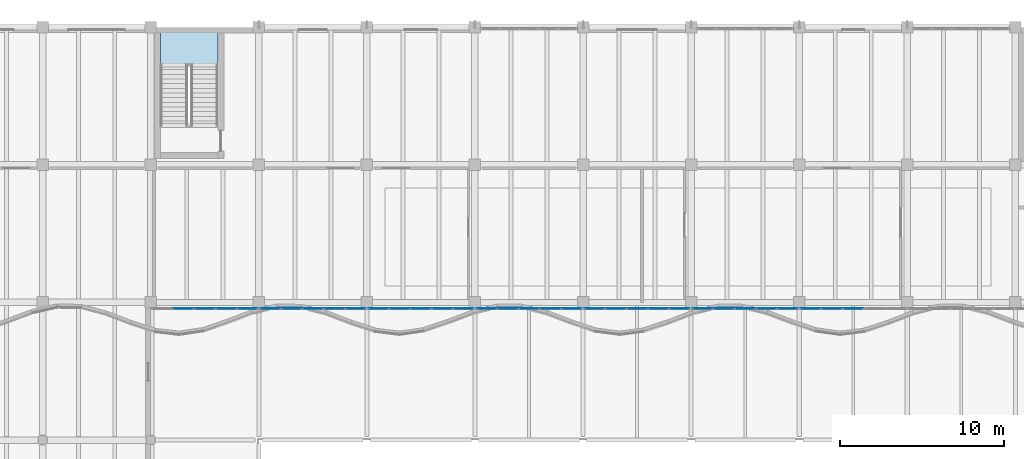
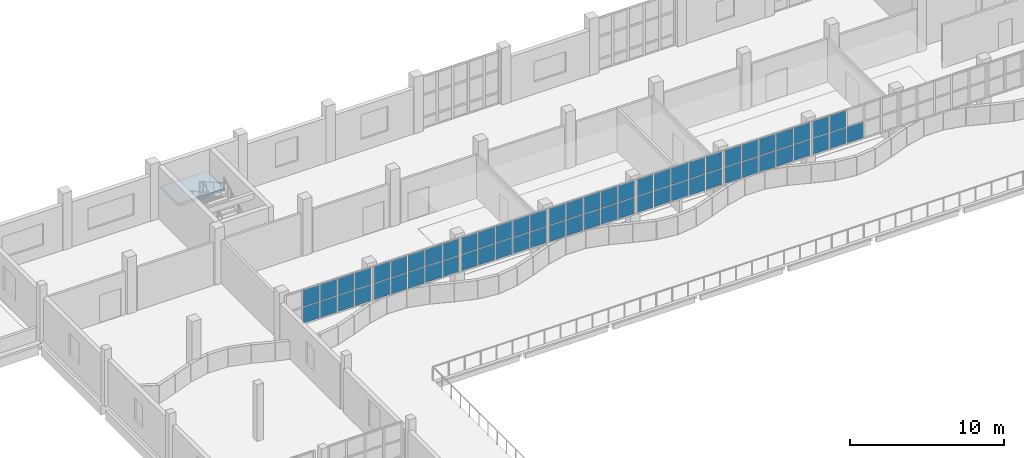
# One storey, part 38 of 83: 63 plates, 1 slab, 8 elements without a shape of their own.
"""IFC4 building model written with IfcOpenShell, lengths in metres."""

from ifc_helpers import new_model, si_unit, direction, frame, origin, origin_2d, place, context, subcontext, project, spatial, polyline, rectangle, outline, extrude, material, layer, layer_set, type_object, element, aggregate, save


model = new_model("IFC4")

# Units and contexts
model_context = context("Model", 3, precision=1e-05, world=origin(), true_north=direction((0.0, 1.0)))
body_context = subcontext(model_context, "Body", "Model", "MODEL_VIEW")
ifc_project = project(units=[si_unit("LENGTHUNIT", "METRE"), si_unit("AREAUNIT", "SQUARE_METRE"), si_unit("VOLUMEUNIT", "CUBIC_METRE"), si_unit("PLANEANGLEUNIT", "RADIAN"), si_unit("MASSUNIT", "GRAM", prefix="KILO")], contexts=[model_context])

# Site, building, storey
site_placement = place(None, origin())
site = spatial("IfcSite", under=ifc_project, at=site_placement, CompositionType="ELEMENT")
building_placement = place(site_placement, origin())
building = spatial("IfcBuilding", under=site, at=building_placement, Name="Qaldarim Faculty of Natural and Applied Sciences", CompositionType="ELEMENT")
storey_placement = place(building_placement, frame((0.0, 0.0, 5.39990234375)))
storey = spatial("IfcBuildingStorey", under=building, at=storey_placement, Name="L01", CompositionType="ELEMENT", Elevation=5.39990234375)

# Stair, slab
ifc_material_1 = material(Name="Concrete C40/50", Category="concrete")
stair_type = type_object("IfcStairType", Name="DoglegStair-W1650-H4500-28R", PredefinedType="HALF_TURN_STAIR", material=ifc_material_1)
stair_placement = place(storey_placement, origin())
stair = element("IfcStair", 1, at=stair_placement, inside=storey, type_object=stair_type, Name="Enclosed exit stair ST-B2 L01", PredefinedType="HALF_TURN_STAIR")
ifc_layer_1 = layer(ifc_material_1, 0.2099609375)
ifc_layer_set_1 = layer_set([ifc_layer_1], Name="Concrete C40/50")
slab_type = type_object("IfcSlabType", Name="StairLandingSlab-210", PredefinedType="LANDING", material=ifc_layer_set_1)
slab_placement = place(storey_placement, frame((0.0, 0.0, 2.0400390625)))
slab = element("IfcSlab", 2, at=slab_placement, type_object=slab_type, Name="ST-B2 L01 half-landing 1", PredefinedType="LANDING", context=body_context, shape_type="SweptSolid", body=[
    extrude(outline(polyline([(50.300048828125, 115.2900390625), (50.300048828125, 117.60009765625), (46.800048828125, 117.60009765625), (46.800048828125, 115.2900390625), (50.300048828125, 115.2900390625)])), origin(), (0.0, 0.0, 1.0), 0.2099609375),
])
aggregate(stair, [slab])

# Curtain wall, plates
ifc_material_2 = material(Name="Anodised aluminium AW-6063", Category="aluminium")
curtain_wall_type = type_object("IfcCurtainWallType", Name="CurtainWallSystem-M1400", PredefinedType="USERDEFINED", material=ifc_material_2)
curtain_wall_1_placement = place(storey_placement, origin())
curtain_wall_1 = element("IfcCurtainWall", 3, at=curtain_wall_1_placement, inside=storey, type_object=curtain_wall_type, Name="Curtain wall CW-V4RIB-L01-X08", ObjectType="STICK CURTAIN WALL", PredefinedType="USERDEFINED")
ifc_material_3 = material(Name="Insulated low-e double glazing", Category="glass")
ifc_layer_2 = layer(ifc_material_3, 0.028076171875)
ifc_layer_set_2 = layer_set([ifc_layer_2], Name="Insulated low-e double glazing")
plate_type = type_object("IfcPlateType", Name="VisionGlazingPanel-28", PredefinedType="CURTAIN_PANEL", material=ifc_layer_set_2)
plate_1_placement = place(storey_placement, frame((48.196044921875, 100.419921875, 1.51025390625), z_axis=(0.0, 0.0, 1.0), x_axis=(1.0, 0.0, 0.0)))
plate_1 = element("IfcPlate", 4, at=plate_1_placement, type_object=plate_type, Name="Glazed panel 2-1 of CW-V4RIB-L01-X08", PredefinedType="CURTAIN_PANEL", context=body_context, shape_type="SweptSolid", body=[
    extrude(rectangle(XDim=1.243896484375, YDim=0.028076171875, at=origin_2d()), origin(), (0.0, 0.0, 1.0), 1.260009765625),
])
plate_2_placement = place(storey_placement, frame((48.196044921875, 100.419921875, 2.830078125), z_axis=(0.0, 0.0, 1.0), x_axis=(1.0, 0.0, 0.0)))
plate_2 = element("IfcPlate", 5, at=plate_2_placement, type_object=plate_type, Name="Glazed panel 2-2 of CW-V4RIB-L01-X08", PredefinedType="CURTAIN_PANEL", context=body_context, shape_type="SweptSolid", body=[
    extrude(rectangle(XDim=1.243896484375, YDim=0.028076171875, at=origin_2d()), origin(), (0.0, 0.0, 1.0), 1.31005859375),
])
plate_3_placement = place(storey_placement, frame((49.5, 100.419921875, 1.51025390625), z_axis=(0.0, 0.0, 1.0), x_axis=(1.0, 0.0, 0.0)))
plate_3 = element("IfcPlate", 6, at=plate_3_placement, type_object=plate_type, Name="Glazed panel 3-1 of CW-V4RIB-L01-X08", PredefinedType="CURTAIN_PANEL", context=body_context, shape_type="SweptSolid", body=[
    extrude(rectangle(XDim=1.243896484375, YDim=0.028076171875, at=origin_2d()), origin(), (0.0, 0.0, 1.0), 1.260009765625),
])
plate_4_placement = place(storey_placement, frame((49.5, 100.419921875, 2.830078125), z_axis=(0.0, 0.0, 1.0), x_axis=(1.0, 0.0, 0.0)))
plate_4 = element("IfcPlate", 7, at=plate_4_placement, type_object=plate_type, Name="Glazed panel 3-2 of CW-V4RIB-L01-X08", PredefinedType="CURTAIN_PANEL", context=body_context, shape_type="SweptSolid", body=[
    extrude(rectangle(XDim=1.243896484375, YDim=0.028076171875, at=origin_2d()), origin(), (0.0, 0.0, 1.0), 1.31005859375),
])
plate_5_placement = place(storey_placement, frame((50.803955078125, 100.419921875, 1.51025390625), z_axis=(0.0, 0.0, 1.0), x_axis=(1.0, 0.0, 0.0)))
plate_5 = element("IfcPlate", 8, at=plate_5_placement, type_object=plate_type, Name="Glazed panel 4-1 of CW-V4RIB-L01-X08", PredefinedType="CURTAIN_PANEL", context=body_context, shape_type="SweptSolid", body=[
    extrude(rectangle(XDim=1.243896484375, YDim=0.028076171875, at=origin_2d()), origin(), (0.0, 0.0, 1.0), 1.260009765625),
])
plate_6_placement = place(storey_placement, frame((50.803955078125, 100.419921875, 2.830078125), z_axis=(0.0, 0.0, 1.0), x_axis=(1.0, 0.0, 0.0)))
plate_6 = element("IfcPlate", 9, at=plate_6_placement, type_object=plate_type, Name="Glazed panel 4-2 of CW-V4RIB-L01-X08", PredefinedType="CURTAIN_PANEL", context=body_context, shape_type="SweptSolid", body=[
    extrude(rectangle(XDim=1.243896484375, YDim=0.028076171875, at=origin_2d()), origin(), (0.0, 0.0, 1.0), 1.31005859375),
])
plate_7_placement = place(storey_placement, frame((52.093017578125, 100.419921875, 1.51025390625), z_axis=(0.0, 0.0, 1.0), x_axis=(1.0, 0.0, 0.0)))
plate_7 = element("IfcPlate", 10, at=plate_7_placement, type_object=plate_type, Name="Glazed panel 5-1 of CW-V4RIB-L01-X08", PredefinedType="CURTAIN_PANEL", context=body_context, shape_type="SweptSolid", body=[
    extrude(rectangle(XDim=1.214111328125, YDim=0.028076171875, at=origin_2d()), origin(), (0.0, 0.0, 1.0), 1.260009765625),
])
plate_8_placement = place(storey_placement, frame((52.093017578125, 100.419921875, 2.830078125), z_axis=(0.0, 0.0, 1.0), x_axis=(1.0, 0.0, 0.0)))
plate_8 = element("IfcPlate", 11, at=plate_8_placement, type_object=plate_type, Name="Glazed panel 5-2 of CW-V4RIB-L01-X08", PredefinedType="CURTAIN_PANEL", context=body_context, shape_type="SweptSolid", body=[
    extrude(rectangle(XDim=1.214111328125, YDim=0.028076171875, at=origin_2d()), origin(), (0.0, 0.0, 1.0), 1.31005859375),
])
aggregate(curtain_wall_1, [plate_1, plate_2, plate_3, plate_4, plate_5, plate_6, plate_7, plate_8])

curtain_wall_2_placement = place(storey_placement, origin())
curtain_wall_2 = element("IfcCurtainWall", 12, at=curtain_wall_2_placement, inside=storey, type_object=curtain_wall_type, Name="Curtain wall CW-V4RIB-L01-X09", ObjectType="STICK CURTAIN WALL", PredefinedType="USERDEFINED")
plate_9_placement = place(storey_placement, frame((53.507080078125, 100.419921875, 1.51025390625), z_axis=(0.0, 0.0, 1.0), x_axis=(1.0, 0.0, 0.0)))
plate_9 = element("IfcPlate", 13, at=plate_9_placement, type_object=plate_type, Name="Glazed panel 1-1 of CW-V4RIB-L01-X09", PredefinedType="CURTAIN_PANEL", context=body_context, shape_type="SweptSolid", body=[
    extrude(rectangle(XDim=1.214111328125, YDim=0.028076171875, at=origin_2d()), origin(), (0.0, 0.0, 1.0), 1.260009765625),
])
plate_10_placement = place(storey_placement, frame((53.507080078125, 100.419921875, 2.830078125), z_axis=(0.0, 0.0, 1.0), x_axis=(1.0, 0.0, 0.0)))
plate_10 = element("IfcPlate", 14, at=plate_10_placement, type_object=plate_type, Name="Glazed panel 1-2 of CW-V4RIB-L01-X09", PredefinedType="CURTAIN_PANEL", context=body_context, shape_type="SweptSolid", body=[
    extrude(rectangle(XDim=1.214111328125, YDim=0.028076171875, at=origin_2d()), origin(), (0.0, 0.0, 1.0), 1.31005859375),
])
plate_11_placement = place(storey_placement, frame((54.7958984375, 100.419921875, 1.51025390625), z_axis=(0.0, 0.0, 1.0), x_axis=(1.0, 0.0, 0.0)))
plate_11 = element("IfcPlate", 15, at=plate_11_placement, type_object=plate_type, Name="Glazed panel 2-1 of CW-V4RIB-L01-X09", PredefinedType="CURTAIN_PANEL", context=body_context, shape_type="SweptSolid", body=[
    extrude(rectangle(XDim=1.243896484375, YDim=0.028076171875, at=origin_2d()), origin(), (0.0, 0.0, 1.0), 1.260009765625),
])
plate_12_placement = place(storey_placement, frame((54.7958984375, 100.419921875, 2.830078125), z_axis=(0.0, 0.0, 1.0), x_axis=(1.0, 0.0, 0.0)))
plate_12 = element("IfcPlate", 16, at=plate_12_placement, type_object=plate_type, Name="Glazed panel 2-2 of CW-V4RIB-L01-X09", PredefinedType="CURTAIN_PANEL", context=body_context, shape_type="SweptSolid", body=[
    extrude(rectangle(XDim=1.243896484375, YDim=0.028076171875, at=origin_2d()), origin(), (0.0, 0.0, 1.0), 1.31005859375),
])
plate_13_placement = place(storey_placement, frame((56.10009765625, 100.419921875, 1.51025390625), z_axis=(0.0, 0.0, 1.0), x_axis=(1.0, 0.0, 0.0)))
plate_13 = element("IfcPlate", 17, at=plate_13_placement, type_object=plate_type, Name="Glazed panel 3-1 of CW-V4RIB-L01-X09", PredefinedType="CURTAIN_PANEL", context=body_context, shape_type="SweptSolid", body=[
    extrude(rectangle(XDim=1.243896484375, YDim=0.028076171875, at=origin_2d()), origin(), (0.0, 0.0, 1.0), 1.260009765625),
])
plate_14_placement = place(storey_placement, frame((56.10009765625, 100.419921875, 2.830078125), z_axis=(0.0, 0.0, 1.0), x_axis=(1.0, 0.0, 0.0)))
plate_14 = element("IfcPlate", 18, at=plate_14_placement, type_object=plate_type, Name="Glazed panel 3-2 of CW-V4RIB-L01-X09", PredefinedType="CURTAIN_PANEL", context=body_context, shape_type="SweptSolid", body=[
    extrude(rectangle(XDim=1.243896484375, YDim=0.028076171875, at=origin_2d()), origin(), (0.0, 0.0, 1.0), 1.31005859375),
])
plate_15_placement = place(storey_placement, frame((57.404052734375, 100.419921875, 1.51025390625), z_axis=(0.0, 0.0, 1.0), x_axis=(1.0, 0.0, 0.0)))
plate_15 = element("IfcPlate", 19, at=plate_15_placement, type_object=plate_type, Name="Glazed panel 4-1 of CW-V4RIB-L01-X09", PredefinedType="CURTAIN_PANEL", context=body_context, shape_type="SweptSolid", body=[
    extrude(rectangle(XDim=1.243896484375, YDim=0.028076171875, at=origin_2d()), origin(), (0.0, 0.0, 1.0), 1.260009765625),
])
plate_16_placement = place(storey_placement, frame((57.404052734375, 100.419921875, 2.830078125), z_axis=(0.0, 0.0, 1.0), x_axis=(1.0, 0.0, 0.0)))
plate_16 = element("IfcPlate", 20, at=plate_16_placement, type_object=plate_type, Name="Glazed panel 4-2 of CW-V4RIB-L01-X09", PredefinedType="CURTAIN_PANEL", context=body_context, shape_type="SweptSolid", body=[
    extrude(rectangle(XDim=1.243896484375, YDim=0.028076171875, at=origin_2d()), origin(), (0.0, 0.0, 1.0), 1.31005859375),
])
plate_17_placement = place(storey_placement, frame((58.693115234375, 100.419921875, 1.51025390625), z_axis=(0.0, 0.0, 1.0), x_axis=(1.0, 0.0, 0.0)))
plate_17 = element("IfcPlate", 21, at=plate_17_placement, type_object=plate_type, Name="Glazed panel 5-1 of CW-V4RIB-L01-X09", PredefinedType="CURTAIN_PANEL", context=body_context, shape_type="SweptSolid", body=[
    extrude(rectangle(XDim=1.214111328125, YDim=0.028076171875, at=origin_2d()), origin(), (0.0, 0.0, 1.0), 1.260009765625),
])
plate_18_placement = place(storey_placement, frame((58.693115234375, 100.419921875, 2.830078125), z_axis=(0.0, 0.0, 1.0), x_axis=(1.0, 0.0, 0.0)))
plate_18 = element("IfcPlate", 22, at=plate_18_placement, type_object=plate_type, Name="Glazed panel 5-2 of CW-V4RIB-L01-X09", PredefinedType="CURTAIN_PANEL", context=body_context, shape_type="SweptSolid", body=[
    extrude(rectangle(XDim=1.214111328125, YDim=0.028076171875, at=origin_2d()), origin(), (0.0, 0.0, 1.0), 1.31005859375),
])
aggregate(curtain_wall_2, [plate_9, plate_10, plate_11, plate_12, plate_13, plate_14, plate_15, plate_16, plate_17, plate_18])

curtain_wall_3_placement = place(storey_placement, origin())
curtain_wall_3 = element("IfcCurtainWall", 23, at=curtain_wall_3_placement, inside=storey, type_object=curtain_wall_type, Name="Curtain wall CW-V4RIB-L01-X10", ObjectType="STICK CURTAIN WALL", PredefinedType="USERDEFINED")
plate_19_placement = place(storey_placement, frame((60.10693359375, 100.419921875, 1.51025390625), z_axis=(0.0, 0.0, 1.0), x_axis=(1.0, 0.0, 0.0)))
plate_19 = element("IfcPlate", 24, at=plate_19_placement, type_object=plate_type, Name="Glazed panel 1-1 of CW-V4RIB-L01-X10", PredefinedType="CURTAIN_PANEL", context=body_context, shape_type="SweptSolid", body=[
    extrude(rectangle(XDim=1.214111328125, YDim=0.028076171875, at=origin_2d()), origin(), (0.0, 0.0, 1.0), 1.260009765625),
])
plate_20_placement = place(storey_placement, frame((60.10693359375, 100.419921875, 2.830078125), z_axis=(0.0, 0.0, 1.0), x_axis=(1.0, 0.0, 0.0)))
plate_20 = element("IfcPlate", 25, at=plate_20_placement, type_object=plate_type, Name="Glazed panel 1-2 of CW-V4RIB-L01-X10", PredefinedType="CURTAIN_PANEL", context=body_context, shape_type="SweptSolid", body=[
    extrude(rectangle(XDim=1.214111328125, YDim=0.028076171875, at=origin_2d()), origin(), (0.0, 0.0, 1.0), 1.31005859375),
])
plate_21_placement = place(storey_placement, frame((61.39599609375, 100.419921875, 1.51025390625), z_axis=(0.0, 0.0, 1.0), x_axis=(1.0, 0.0, 0.0)))
plate_21 = element("IfcPlate", 26, at=plate_21_placement, type_object=plate_type, Name="Glazed panel 2-1 of CW-V4RIB-L01-X10", PredefinedType="CURTAIN_PANEL", context=body_context, shape_type="SweptSolid", body=[
    extrude(rectangle(XDim=1.243896484375, YDim=0.028076171875, at=origin_2d()), origin(), (0.0, 0.0, 1.0), 1.260009765625),
])
plate_22_placement = place(storey_placement, frame((61.39599609375, 100.419921875, 2.830078125), z_axis=(0.0, 0.0, 1.0), x_axis=(1.0, 0.0, 0.0)))
plate_22 = element("IfcPlate", 27, at=plate_22_placement, type_object=plate_type, Name="Glazed panel 2-2 of CW-V4RIB-L01-X10", PredefinedType="CURTAIN_PANEL", context=body_context, shape_type="SweptSolid", body=[
    extrude(rectangle(XDim=1.243896484375, YDim=0.028076171875, at=origin_2d()), origin(), (0.0, 0.0, 1.0), 1.31005859375),
])
plate_23_placement = place(storey_placement, frame((62.699951171875, 100.419921875, 1.51025390625), z_axis=(0.0, 0.0, 1.0), x_axis=(1.0, 0.0, 0.0)))
plate_23 = element("IfcPlate", 28, at=plate_23_placement, type_object=plate_type, Name="Glazed panel 3-1 of CW-V4RIB-L01-X10", PredefinedType="CURTAIN_PANEL", context=body_context, shape_type="SweptSolid", body=[
    extrude(rectangle(XDim=1.243896484375, YDim=0.028076171875, at=origin_2d()), origin(), (0.0, 0.0, 1.0), 1.260009765625),
])
plate_24_placement = place(storey_placement, frame((62.699951171875, 100.419921875, 2.830078125), z_axis=(0.0, 0.0, 1.0), x_axis=(1.0, 0.0, 0.0)))
plate_24 = element("IfcPlate", 29, at=plate_24_placement, type_object=plate_type, Name="Glazed panel 3-2 of CW-V4RIB-L01-X10", PredefinedType="CURTAIN_PANEL", context=body_context, shape_type="SweptSolid", body=[
    extrude(rectangle(XDim=1.243896484375, YDim=0.028076171875, at=origin_2d()), origin(), (0.0, 0.0, 1.0), 1.31005859375),
])
plate_25_placement = place(storey_placement, frame((64.00390625, 100.419921875, 1.51025390625), z_axis=(0.0, 0.0, 1.0), x_axis=(1.0, 0.0, 0.0)))
plate_25 = element("IfcPlate", 30, at=plate_25_placement, type_object=plate_type, Name="Glazed panel 4-1 of CW-V4RIB-L01-X10", PredefinedType="CURTAIN_PANEL", context=body_context, shape_type="SweptSolid", body=[
    extrude(rectangle(XDim=1.243896484375, YDim=0.028076171875, at=origin_2d()), origin(), (0.0, 0.0, 1.0), 1.260009765625),
])
plate_26_placement = place(storey_placement, frame((64.00390625, 100.419921875, 2.830078125), z_axis=(0.0, 0.0, 1.0), x_axis=(1.0, 0.0, 0.0)))
plate_26 = element("IfcPlate", 31, at=plate_26_placement, type_object=plate_type, Name="Glazed panel 4-2 of CW-V4RIB-L01-X10", PredefinedType="CURTAIN_PANEL", context=body_context, shape_type="SweptSolid", body=[
    extrude(rectangle(XDim=1.243896484375, YDim=0.028076171875, at=origin_2d()), origin(), (0.0, 0.0, 1.0), 1.31005859375),
])
plate_27_placement = place(storey_placement, frame((65.29296875, 100.419921875, 1.51025390625), z_axis=(0.0, 0.0, 1.0), x_axis=(1.0, 0.0, 0.0)))
plate_27 = element("IfcPlate", 32, at=plate_27_placement, type_object=plate_type, Name="Glazed panel 5-1 of CW-V4RIB-L01-X10", PredefinedType="CURTAIN_PANEL", context=body_context, shape_type="SweptSolid", body=[
    extrude(rectangle(XDim=1.214111328125, YDim=0.028076171875, at=origin_2d()), origin(), (0.0, 0.0, 1.0), 1.260009765625),
])
plate_28_placement = place(storey_placement, frame((65.29296875, 100.419921875, 2.830078125), z_axis=(0.0, 0.0, 1.0), x_axis=(1.0, 0.0, 0.0)))
plate_28 = element("IfcPlate", 33, at=plate_28_placement, type_object=plate_type, Name="Glazed panel 5-2 of CW-V4RIB-L01-X10", PredefinedType="CURTAIN_PANEL", context=body_context, shape_type="SweptSolid", body=[
    extrude(rectangle(XDim=1.214111328125, YDim=0.028076171875, at=origin_2d()), origin(), (0.0, 0.0, 1.0), 1.31005859375),
])
aggregate(curtain_wall_3, [plate_19, plate_20, plate_21, plate_22, plate_23, plate_24, plate_25, plate_26, plate_27, plate_28])

curtain_wall_4_placement = place(storey_placement, origin())
curtain_wall_4 = element("IfcCurtainWall", 34, at=curtain_wall_4_placement, inside=storey, type_object=curtain_wall_type, Name="Curtain wall CW-V4RIB-L01-X11", ObjectType="STICK CURTAIN WALL", PredefinedType="USERDEFINED")
plate_29_placement = place(storey_placement, frame((66.70703125, 100.419921875, 1.51025390625), z_axis=(0.0, 0.0, 1.0), x_axis=(1.0, 0.0, 0.0)))
plate_29 = element("IfcPlate", 35, at=plate_29_placement, type_object=plate_type, Name="Glazed panel 1-1 of CW-V4RIB-L01-X11", PredefinedType="CURTAIN_PANEL", context=body_context, shape_type="SweptSolid", body=[
    extrude(rectangle(XDim=1.214111328125, YDim=0.028076171875, at=origin_2d()), origin(), (0.0, 0.0, 1.0), 1.260009765625),
])
plate_30_placement = place(storey_placement, frame((66.70703125, 100.419921875, 2.830078125), z_axis=(0.0, 0.0, 1.0), x_axis=(1.0, 0.0, 0.0)))
plate_30 = element("IfcPlate", 36, at=plate_30_placement, type_object=plate_type, Name="Glazed panel 1-2 of CW-V4RIB-L01-X11", PredefinedType="CURTAIN_PANEL", context=body_context, shape_type="SweptSolid", body=[
    extrude(rectangle(XDim=1.214111328125, YDim=0.028076171875, at=origin_2d()), origin(), (0.0, 0.0, 1.0), 1.31005859375),
])
plate_31_placement = place(storey_placement, frame((67.99609375, 100.419921875, 1.51025390625), z_axis=(0.0, 0.0, 1.0), x_axis=(1.0, 0.0, 0.0)))
plate_31 = element("IfcPlate", 37, at=plate_31_placement, type_object=plate_type, Name="Glazed panel 2-1 of CW-V4RIB-L01-X11", PredefinedType="CURTAIN_PANEL", context=body_context, shape_type="SweptSolid", body=[
    extrude(rectangle(XDim=1.243896484375, YDim=0.028076171875, at=origin_2d()), origin(), (0.0, 0.0, 1.0), 1.260009765625),
])
plate_32_placement = place(storey_placement, frame((67.99609375, 100.419921875, 2.830078125), z_axis=(0.0, 0.0, 1.0), x_axis=(1.0, 0.0, 0.0)))
plate_32 = element("IfcPlate", 38, at=plate_32_placement, type_object=plate_type, Name="Glazed panel 2-2 of CW-V4RIB-L01-X11", PredefinedType="CURTAIN_PANEL", context=body_context, shape_type="SweptSolid", body=[
    extrude(rectangle(XDim=1.243896484375, YDim=0.028076171875, at=origin_2d()), origin(), (0.0, 0.0, 1.0), 1.31005859375),
])
plate_33_placement = place(storey_placement, frame((69.300048828125, 100.419921875, 1.51025390625), z_axis=(0.0, 0.0, 1.0), x_axis=(1.0, 0.0, 0.0)))
plate_33 = element("IfcPlate", 39, at=plate_33_placement, type_object=plate_type, Name="Glazed panel 3-1 of CW-V4RIB-L01-X11", PredefinedType="CURTAIN_PANEL", context=body_context, shape_type="SweptSolid", body=[
    extrude(rectangle(XDim=1.243896484375, YDim=0.028076171875, at=origin_2d()), origin(), (0.0, 0.0, 1.0), 1.260009765625),
])
plate_34_placement = place(storey_placement, frame((69.300048828125, 100.419921875, 2.830078125), z_axis=(0.0, 0.0, 1.0), x_axis=(1.0, 0.0, 0.0)))
plate_34 = element("IfcPlate", 40, at=plate_34_placement, type_object=plate_type, Name="Glazed panel 3-2 of CW-V4RIB-L01-X11", PredefinedType="CURTAIN_PANEL", context=body_context, shape_type="SweptSolid", body=[
    extrude(rectangle(XDim=1.243896484375, YDim=0.028076171875, at=origin_2d()), origin(), (0.0, 0.0, 1.0), 1.31005859375),
])
plate_35_placement = place(storey_placement, frame((70.60400390625, 100.419921875, 1.51025390625), z_axis=(0.0, 0.0, 1.0), x_axis=(1.0, 0.0, 0.0)))
plate_35 = element("IfcPlate", 41, at=plate_35_placement, type_object=plate_type, Name="Glazed panel 4-1 of CW-V4RIB-L01-X11", PredefinedType="CURTAIN_PANEL", context=body_context, shape_type="SweptSolid", body=[
    extrude(rectangle(XDim=1.243896484375, YDim=0.028076171875, at=origin_2d()), origin(), (0.0, 0.0, 1.0), 1.260009765625),
])
plate_36_placement = place(storey_placement, frame((70.60400390625, 100.419921875, 2.830078125), z_axis=(0.0, 0.0, 1.0), x_axis=(1.0, 0.0, 0.0)))
plate_36 = element("IfcPlate", 42, at=plate_36_placement, type_object=plate_type, Name="Glazed panel 4-2 of CW-V4RIB-L01-X11", PredefinedType="CURTAIN_PANEL", context=body_context, shape_type="SweptSolid", body=[
    extrude(rectangle(XDim=1.243896484375, YDim=0.028076171875, at=origin_2d()), origin(), (0.0, 0.0, 1.0), 1.31005859375),
])
plate_37_placement = place(storey_placement, frame((71.89306640625, 100.419921875, 1.51025390625), z_axis=(0.0, 0.0, 1.0), x_axis=(1.0, 0.0, 0.0)))
plate_37 = element("IfcPlate", 43, at=plate_37_placement, type_object=plate_type, Name="Glazed panel 5-1 of CW-V4RIB-L01-X11", PredefinedType="CURTAIN_PANEL", context=body_context, shape_type="SweptSolid", body=[
    extrude(rectangle(XDim=1.214111328125, YDim=0.028076171875, at=origin_2d()), origin(), (0.0, 0.0, 1.0), 1.260009765625),
])
plate_38_placement = place(storey_placement, frame((71.89306640625, 100.419921875, 2.830078125), z_axis=(0.0, 0.0, 1.0), x_axis=(1.0, 0.0, 0.0)))
plate_38 = element("IfcPlate", 44, at=plate_38_placement, type_object=plate_type, Name="Glazed panel 5-2 of CW-V4RIB-L01-X11", PredefinedType="CURTAIN_PANEL", context=body_context, shape_type="SweptSolid", body=[
    extrude(rectangle(XDim=1.214111328125, YDim=0.028076171875, at=origin_2d()), origin(), (0.0, 0.0, 1.0), 1.31005859375),
])
aggregate(curtain_wall_4, [plate_29, plate_30, plate_31, plate_32, plate_33, plate_34, plate_35, plate_36, plate_37, plate_38])

curtain_wall_5_placement = place(storey_placement, origin())
curtain_wall_5 = element("IfcCurtainWall", 45, at=curtain_wall_5_placement, inside=storey, type_object=curtain_wall_type, Name="Curtain wall CW-V4RIB-L01-X12", ObjectType="STICK CURTAIN WALL", PredefinedType="USERDEFINED")
plate_39_placement = place(storey_placement, frame((73.306884765625, 100.419921875, 1.51025390625), z_axis=(0.0, 0.0, 1.0), x_axis=(1.0, 0.0, 0.0)))
plate_39 = element("IfcPlate", 46, at=plate_39_placement, type_object=plate_type, Name="Glazed panel 1-1 of CW-V4RIB-L01-X12", PredefinedType="CURTAIN_PANEL", context=body_context, shape_type="SweptSolid", body=[
    extrude(rectangle(XDim=1.214111328125, YDim=0.028076171875, at=origin_2d()), origin(), (0.0, 0.0, 1.0), 1.260009765625),
])
plate_40_placement = place(storey_placement, frame((73.306884765625, 100.419921875, 2.830078125), z_axis=(0.0, 0.0, 1.0), x_axis=(1.0, 0.0, 0.0)))
plate_40 = element("IfcPlate", 47, at=plate_40_placement, type_object=plate_type, Name="Glazed panel 1-2 of CW-V4RIB-L01-X12", PredefinedType="CURTAIN_PANEL", context=body_context, shape_type="SweptSolid", body=[
    extrude(rectangle(XDim=1.214111328125, YDim=0.028076171875, at=origin_2d()), origin(), (0.0, 0.0, 1.0), 1.31005859375),
])
plate_41_placement = place(storey_placement, frame((74.595947265625, 100.419921875, 1.51025390625), z_axis=(0.0, 0.0, 1.0), x_axis=(1.0, 0.0, 0.0)))
plate_41 = element("IfcPlate", 48, at=plate_41_placement, type_object=plate_type, Name="Glazed panel 2-1 of CW-V4RIB-L01-X12", PredefinedType="CURTAIN_PANEL", context=body_context, shape_type="SweptSolid", body=[
    extrude(rectangle(XDim=1.243896484375, YDim=0.028076171875, at=origin_2d()), origin(), (0.0, 0.0, 1.0), 1.260009765625),
])
plate_42_placement = place(storey_placement, frame((74.595947265625, 100.419921875, 2.830078125), z_axis=(0.0, 0.0, 1.0), x_axis=(1.0, 0.0, 0.0)))
plate_42 = element("IfcPlate", 49, at=plate_42_placement, type_object=plate_type, Name="Glazed panel 2-2 of CW-V4RIB-L01-X12", PredefinedType="CURTAIN_PANEL", context=body_context, shape_type="SweptSolid", body=[
    extrude(rectangle(XDim=1.243896484375, YDim=0.028076171875, at=origin_2d()), origin(), (0.0, 0.0, 1.0), 1.31005859375),
])
plate_43_placement = place(storey_placement, frame((75.89990234375, 100.419921875, 1.51025390625), z_axis=(0.0, 0.0, 1.0), x_axis=(1.0, 0.0, 0.0)))
plate_43 = element("IfcPlate", 50, at=plate_43_placement, type_object=plate_type, Name="Glazed panel 3-1 of CW-V4RIB-L01-X12", PredefinedType="CURTAIN_PANEL", context=body_context, shape_type="SweptSolid", body=[
    extrude(rectangle(XDim=1.243896484375, YDim=0.028076171875, at=origin_2d()), origin(), (0.0, 0.0, 1.0), 1.260009765625),
])
plate_44_placement = place(storey_placement, frame((75.89990234375, 100.419921875, 2.830078125), z_axis=(0.0, 0.0, 1.0), x_axis=(1.0, 0.0, 0.0)))
plate_44 = element("IfcPlate", 51, at=plate_44_placement, type_object=plate_type, Name="Glazed panel 3-2 of CW-V4RIB-L01-X12", PredefinedType="CURTAIN_PANEL", context=body_context, shape_type="SweptSolid", body=[
    extrude(rectangle(XDim=1.243896484375, YDim=0.028076171875, at=origin_2d()), origin(), (0.0, 0.0, 1.0), 1.31005859375),
])
plate_45_placement = place(storey_placement, frame((77.2041015625, 100.419921875, 1.51025390625), z_axis=(0.0, 0.0, 1.0), x_axis=(1.0, 0.0, 0.0)))
plate_45 = element("IfcPlate", 52, at=plate_45_placement, type_object=plate_type, Name="Glazed panel 4-1 of CW-V4RIB-L01-X12", PredefinedType="CURTAIN_PANEL", context=body_context, shape_type="SweptSolid", body=[
    extrude(rectangle(XDim=1.243896484375, YDim=0.028076171875, at=origin_2d()), origin(), (0.0, 0.0, 1.0), 1.260009765625),
])
plate_46_placement = place(storey_placement, frame((77.2041015625, 100.419921875, 2.830078125), z_axis=(0.0, 0.0, 1.0), x_axis=(1.0, 0.0, 0.0)))
plate_46 = element("IfcPlate", 53, at=plate_46_placement, type_object=plate_type, Name="Glazed panel 4-2 of CW-V4RIB-L01-X12", PredefinedType="CURTAIN_PANEL", context=body_context, shape_type="SweptSolid", body=[
    extrude(rectangle(XDim=1.243896484375, YDim=0.028076171875, at=origin_2d()), origin(), (0.0, 0.0, 1.0), 1.31005859375),
])
plate_47_placement = place(storey_placement, frame((78.492919921875, 100.419921875, 1.51025390625), z_axis=(0.0, 0.0, 1.0), x_axis=(1.0, 0.0, 0.0)))
plate_47 = element("IfcPlate", 54, at=plate_47_placement, type_object=plate_type, Name="Glazed panel 5-1 of CW-V4RIB-L01-X12", PredefinedType="CURTAIN_PANEL", context=body_context, shape_type="SweptSolid", body=[
    extrude(rectangle(XDim=1.214111328125, YDim=0.028076171875, at=origin_2d()), origin(), (0.0, 0.0, 1.0), 1.260009765625),
])
plate_48_placement = place(storey_placement, frame((78.492919921875, 100.419921875, 2.830078125), z_axis=(0.0, 0.0, 1.0), x_axis=(1.0, 0.0, 0.0)))
plate_48 = element("IfcPlate", 55, at=plate_48_placement, type_object=plate_type, Name="Glazed panel 5-2 of CW-V4RIB-L01-X12", PredefinedType="CURTAIN_PANEL", context=body_context, shape_type="SweptSolid", body=[
    extrude(rectangle(XDim=1.214111328125, YDim=0.028076171875, at=origin_2d()), origin(), (0.0, 0.0, 1.0), 1.31005859375),
])
aggregate(curtain_wall_5, [plate_39, plate_40, plate_41, plate_42, plate_43, plate_44, plate_45, plate_46, plate_47, plate_48])

curtain_wall_6_placement = place(storey_placement, origin())
curtain_wall_6 = element("IfcCurtainWall", 56, at=curtain_wall_6_placement, inside=storey, type_object=curtain_wall_type, Name="Curtain wall CW-V4RIB-L01-X13", ObjectType="STICK CURTAIN WALL", PredefinedType="USERDEFINED")
plate_49_placement = place(storey_placement, frame((79.906982421875, 100.419921875, 1.51025390625), z_axis=(0.0, 0.0, 1.0), x_axis=(1.0, 0.0, 0.0)))
plate_49 = element("IfcPlate", 57, at=plate_49_placement, type_object=plate_type, Name="Glazed panel 1-1 of CW-V4RIB-L01-X13", PredefinedType="CURTAIN_PANEL", context=body_context, shape_type="SweptSolid", body=[
    extrude(rectangle(XDim=1.214111328125, YDim=0.028076171875, at=origin_2d()), origin(), (0.0, 0.0, 1.0), 1.260009765625),
])
plate_50_placement = place(storey_placement, frame((79.906982421875, 100.419921875, 2.830078125), z_axis=(0.0, 0.0, 1.0), x_axis=(1.0, 0.0, 0.0)))
plate_50 = element("IfcPlate", 58, at=plate_50_placement, type_object=plate_type, Name="Glazed panel 1-2 of CW-V4RIB-L01-X13", PredefinedType="CURTAIN_PANEL", context=body_context, shape_type="SweptSolid", body=[
    extrude(rectangle(XDim=1.214111328125, YDim=0.028076171875, at=origin_2d()), origin(), (0.0, 0.0, 1.0), 1.31005859375),
])
plate_51_placement = place(storey_placement, frame((81.196044921875, 100.419921875, 1.51025390625), z_axis=(0.0, 0.0, 1.0), x_axis=(1.0, 0.0, 0.0)))
plate_51 = element("IfcPlate", 59, at=plate_51_placement, type_object=plate_type, Name="Glazed panel 2-1 of CW-V4RIB-L01-X13", PredefinedType="CURTAIN_PANEL", context=body_context, shape_type="SweptSolid", body=[
    extrude(rectangle(XDim=1.243896484375, YDim=0.028076171875, at=origin_2d()), origin(), (0.0, 0.0, 1.0), 1.260009765625),
])
plate_52_placement = place(storey_placement, frame((81.196044921875, 100.419921875, 2.830078125), z_axis=(0.0, 0.0, 1.0), x_axis=(1.0, 0.0, 0.0)))
plate_52 = element("IfcPlate", 60, at=plate_52_placement, type_object=plate_type, Name="Glazed panel 2-2 of CW-V4RIB-L01-X13", PredefinedType="CURTAIN_PANEL", context=body_context, shape_type="SweptSolid", body=[
    extrude(rectangle(XDim=1.243896484375, YDim=0.028076171875, at=origin_2d()), origin(), (0.0, 0.0, 1.0), 1.31005859375),
])
plate_53_placement = place(storey_placement, frame((82.5, 100.419921875, 1.51025390625), z_axis=(0.0, 0.0, 1.0), x_axis=(1.0, 0.0, 0.0)))
plate_53 = element("IfcPlate", 61, at=plate_53_placement, type_object=plate_type, Name="Glazed panel 3-1 of CW-V4RIB-L01-X13", PredefinedType="CURTAIN_PANEL", context=body_context, shape_type="SweptSolid", body=[
    extrude(rectangle(XDim=1.243896484375, YDim=0.028076171875, at=origin_2d()), origin(), (0.0, 0.0, 1.0), 1.260009765625),
])
plate_54_placement = place(storey_placement, frame((82.5, 100.419921875, 2.830078125), z_axis=(0.0, 0.0, 1.0), x_axis=(1.0, 0.0, 0.0)))
plate_54 = element("IfcPlate", 62, at=plate_54_placement, type_object=plate_type, Name="Glazed panel 3-2 of CW-V4RIB-L01-X13", PredefinedType="CURTAIN_PANEL", context=body_context, shape_type="SweptSolid", body=[
    extrude(rectangle(XDim=1.243896484375, YDim=0.028076171875, at=origin_2d()), origin(), (0.0, 0.0, 1.0), 1.31005859375),
])
plate_55_placement = place(storey_placement, frame((83.803955078125, 100.419921875, 1.51025390625), z_axis=(0.0, 0.0, 1.0), x_axis=(1.0, 0.0, 0.0)))
plate_55 = element("IfcPlate", 63, at=plate_55_placement, type_object=plate_type, Name="Glazed panel 4-1 of CW-V4RIB-L01-X13", PredefinedType="CURTAIN_PANEL", context=body_context, shape_type="SweptSolid", body=[
    extrude(rectangle(XDim=1.243896484375, YDim=0.028076171875, at=origin_2d()), origin(), (0.0, 0.0, 1.0), 1.260009765625),
])
plate_56_placement = place(storey_placement, frame((83.803955078125, 100.419921875, 2.830078125), z_axis=(0.0, 0.0, 1.0), x_axis=(1.0, 0.0, 0.0)))
plate_56 = element("IfcPlate", 64, at=plate_56_placement, type_object=plate_type, Name="Glazed panel 4-2 of CW-V4RIB-L01-X13", PredefinedType="CURTAIN_PANEL", context=body_context, shape_type="SweptSolid", body=[
    extrude(rectangle(XDim=1.243896484375, YDim=0.028076171875, at=origin_2d()), origin(), (0.0, 0.0, 1.0), 1.31005859375),
])
plate_57_placement = place(storey_placement, frame((85.093017578125, 100.419921875, 1.51025390625), z_axis=(0.0, 0.0, 1.0), x_axis=(1.0, 0.0, 0.0)))
plate_57 = element("IfcPlate", 65, at=plate_57_placement, type_object=plate_type, Name="Glazed panel 5-1 of CW-V4RIB-L01-X13", PredefinedType="CURTAIN_PANEL", context=body_context, shape_type="SweptSolid", body=[
    extrude(rectangle(XDim=1.214111328125, YDim=0.028076171875, at=origin_2d()), origin(), (0.0, 0.0, 1.0), 1.260009765625),
])
plate_58_placement = place(storey_placement, frame((85.093017578125, 100.419921875, 2.830078125), z_axis=(0.0, 0.0, 1.0), x_axis=(1.0, 0.0, 0.0)))
plate_58 = element("IfcPlate", 66, at=plate_58_placement, type_object=plate_type, Name="Glazed panel 5-2 of CW-V4RIB-L01-X13", PredefinedType="CURTAIN_PANEL", context=body_context, shape_type="SweptSolid", body=[
    extrude(rectangle(XDim=1.214111328125, YDim=0.028076171875, at=origin_2d()), origin(), (0.0, 0.0, 1.0), 1.31005859375),
])
aggregate(curtain_wall_6, [plate_49, plate_50, plate_51, plate_52, plate_53, plate_54, plate_55, plate_56, plate_57, plate_58])

curtain_wall_7_placement = place(storey_placement, origin())
curtain_wall_7 = element("IfcCurtainWall", 67, at=curtain_wall_7_placement, inside=storey, type_object=curtain_wall_type, Name="Curtain wall CW-V4RIB-L01-X14", ObjectType="STICK CURTAIN WALL", PredefinedType="USERDEFINED")
plate_59_placement = place(storey_placement, frame((86.507080078125, 100.419921875, 1.51025390625), z_axis=(0.0, 0.0, 1.0), x_axis=(1.0, 0.0, 0.0)))
plate_59 = element("IfcPlate", 68, at=plate_59_placement, type_object=plate_type, Name="Glazed panel 1-1 of CW-V4RIB-L01-X14", PredefinedType="CURTAIN_PANEL", context=body_context, shape_type="SweptSolid", body=[
    extrude(rectangle(XDim=1.214111328125, YDim=0.028076171875, at=origin_2d()), origin(), (0.0, 0.0, 1.0), 1.260009765625),
])
plate_60_placement = place(storey_placement, frame((86.507080078125, 100.419921875, 2.830078125), z_axis=(0.0, 0.0, 1.0), x_axis=(1.0, 0.0, 0.0)))
plate_60 = element("IfcPlate", 69, at=plate_60_placement, type_object=plate_type, Name="Glazed panel 1-2 of CW-V4RIB-L01-X14", PredefinedType="CURTAIN_PANEL", context=body_context, shape_type="SweptSolid", body=[
    extrude(rectangle(XDim=1.214111328125, YDim=0.028076171875, at=origin_2d()), origin(), (0.0, 0.0, 1.0), 1.31005859375),
])
plate_61_placement = place(storey_placement, frame((87.7958984375, 100.419921875, 1.51025390625), z_axis=(0.0, 0.0, 1.0), x_axis=(1.0, 0.0, 0.0)))
plate_61 = element("IfcPlate", 70, at=plate_61_placement, type_object=plate_type, Name="Glazed panel 2-1 of CW-V4RIB-L01-X14", PredefinedType="CURTAIN_PANEL", context=body_context, shape_type="SweptSolid", body=[
    extrude(rectangle(XDim=1.243896484375, YDim=0.028076171875, at=origin_2d()), origin(), (0.0, 0.0, 1.0), 1.260009765625),
])
plate_62_placement = place(storey_placement, frame((87.7958984375, 100.419921875, 2.830078125), z_axis=(0.0, 0.0, 1.0), x_axis=(1.0, 0.0, 0.0)))
plate_62 = element("IfcPlate", 71, at=plate_62_placement, type_object=plate_type, Name="Glazed panel 2-2 of CW-V4RIB-L01-X14", PredefinedType="CURTAIN_PANEL", context=body_context, shape_type="SweptSolid", body=[
    extrude(rectangle(XDim=1.243896484375, YDim=0.028076171875, at=origin_2d()), origin(), (0.0, 0.0, 1.0), 1.31005859375),
])
plate_63_placement = place(storey_placement, frame((89.10009765625, 100.419921875, 1.51025390625), z_axis=(0.0, 0.0, 1.0), x_axis=(1.0, 0.0, 0.0)))
plate_63 = element("IfcPlate", 72, at=plate_63_placement, type_object=plate_type, Name="Glazed panel 3-1 of CW-V4RIB-L01-X14", PredefinedType="CURTAIN_PANEL", context=body_context, shape_type="SweptSolid", body=[
    extrude(rectangle(XDim=1.243896484375, YDim=0.028076171875, at=origin_2d()), origin(), (0.0, 0.0, 1.0), 1.260009765625),
])
aggregate(curtain_wall_7, [plate_59, plate_60, plate_61, plate_62, plate_63])

save(model, "model.ifc")
